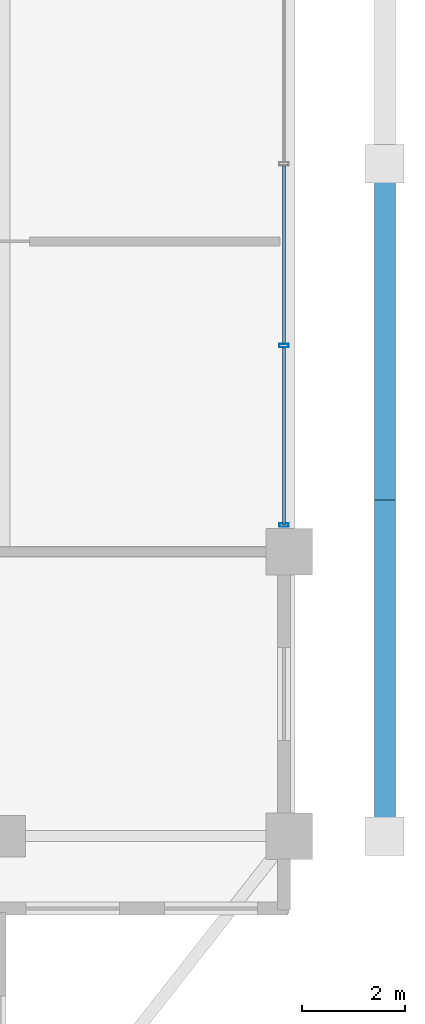
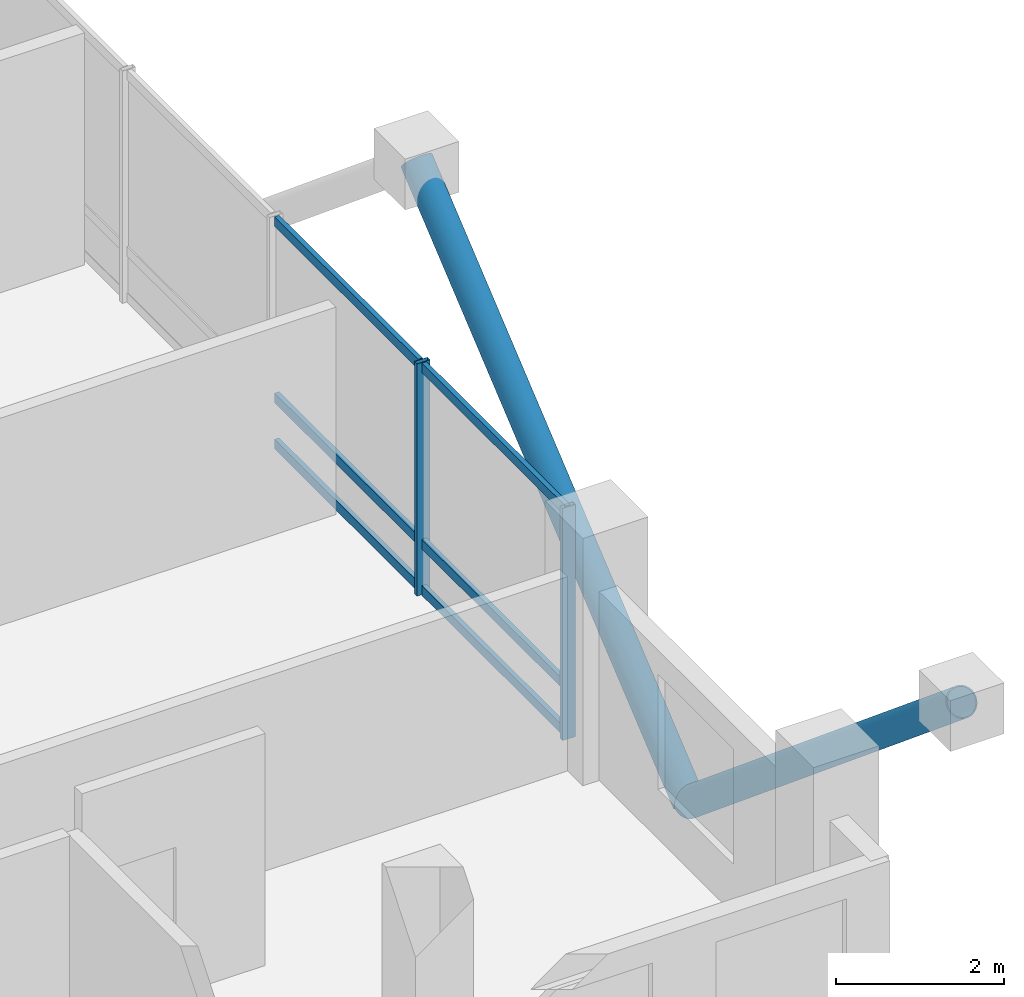
# One storey, part 11 of 22: 10 members, 1 element without a shape of its own.
"""IFC4 building model written with IfcOpenShell, lengths in metres."""

import ifcopenshell
import ifcopenshell.guid

model = None  # the IFC model being written
_history = None  # IfcOwnerHistory: only IFC2X3 demands one
_inside = {}  # id of a spatial element -> (the spatial element, [elements in it])
_under = {}  # id of a project, library or spatial element -> (it, [spatial elements below it])
_declared = {}  # id of a project -> (the project, [libraries it declares])
_typed = {}  # id of a type object -> (the type object, [elements of that type])
_made_of = {}  # id of a material, layer set ... -> (it, [elements and type objects made of it])


def new_model(schema):
    """Start an empty IFC model of exactly this schema.

    Asked for "IFC4X3", IfcOpenShell would pick the latest addendum, in which some entities
    have other attributes; the version numbers below select the first issue.
    IFC2X3 requires an IfcOwnerHistory on every rooted entity: one is made here for all.
    """
    global model, _history
    if schema == "IFC4X3":
        model = ifcopenshell.file(schema_version=(4, 3, 0, 0))
    else:
        model = ifcopenshell.file(schema=schema)
    _inside.clear()
    _under.clear()
    _declared.clear()
    _typed.clear()
    _made_of.clear()
    _history = None
    if model.schema == "IFC2X3":
        org = make("IfcOrganization", Name="unknown")
        user = make(
            "IfcPersonAndOrganization",
            ThePerson=make("IfcPerson", FamilyName="unknown"),
            TheOrganization=org,
        )
        app = make(
            "IfcApplication",
            ApplicationDeveloper=org,
            Version="unknown",
            ApplicationFullName="unknown",
            ApplicationIdentifier="unknown",
        )
        _history = make(
            "IfcOwnerHistory",
            OwningUser=user,
            OwningApplication=app,
            ChangeAction="ADDED",
            CreationDate=0,
        )
    return model


def make(cls, **values):
    """One entity of the class cls with the attributes given. An attribute that is None is left unset."""
    return model.create_entity(
        cls, **{name: value for name, value in values.items() if value is not None}
    )


def rooted(cls, **values):
    """An entity with a GlobalId (a new one), such as an element, a storey or a relation."""
    return make(cls, GlobalId=ifcopenshell.guid.new(), OwnerHistory=_history, **values)


def si_unit(unit_type, name, prefix=None):
    """IfcSIUnit, for example si_unit("LENGTHUNIT", "METRE", prefix="MILLI")."""
    return make("IfcSIUnit", UnitType=unit_type, Prefix=prefix, Name=name)


def assignment(units):
    """IfcUnitAssignment: the units of a project."""
    return None if units is None else make("IfcUnitAssignment", Units=units)


def point(xyz):
    """IfcCartesianPoint."""
    return None if xyz is None else make("IfcCartesianPoint", Coordinates=xyz)


def direction(xyz):
    """IfcDirection."""
    return None if xyz is None else make("IfcDirection", DirectionRatios=xyz)


def frame(location, z_axis=None, x_axis=None):
    """IfcAxis2Placement3D, a coordinate frame: its origin and axes. An axis left out is left unset."""
    return make(
        "IfcAxis2Placement3D",
        Location=point(location),
        Axis=direction(z_axis),
        RefDirection=direction(x_axis),
    )


def frame_2d(location, x_axis=None):
    """IfcAxis2Placement2D, a coordinate frame in the plane: its origin and x axis."""
    return make(
        "IfcAxis2Placement2D", Location=point(location), RefDirection=direction(x_axis)
    )


def origin():
    """The frame at (0, 0, 0) with its axes left unset."""
    return frame((0.0, 0.0, 0.0))


def origin_2d():
    """The frame at (0, 0) in the plane with its x axis left unset."""
    return frame_2d((0.0, 0.0))


def place(relative_to, where):
    """IfcLocalPlacement: puts the frame where relative to a parent placement (None: the world)."""
    return make(
        "IfcLocalPlacement", PlacementRelTo=relative_to, RelativePlacement=where
    )


def context(
    kind, dimensions, precision=None, world=None, true_north=None, identifier=None
):
    """IfcGeometricRepresentationContext, for example the 3D "Model" context."""
    return make(
        "IfcGeometricRepresentationContext",
        ContextIdentifier=identifier,
        ContextType=kind,
        CoordinateSpaceDimension=dimensions,
        Precision=precision,
        WorldCoordinateSystem=world,
        TrueNorth=true_north,
    )


def subcontext(parent, identifier, kind, view, scale=None):
    """IfcGeometricRepresentationSubContext, for example "Body" below "Model"."""
    return make(
        "IfcGeometricRepresentationSubContext",
        ContextIdentifier=identifier,
        ContextType=kind,
        ParentContext=parent,
        TargetScale=scale,
        TargetView=view,
    )


def project(units=None, contexts=None):
    """IfcProject with its units and contexts."""
    return rooted(
        "IfcProject",
        Name="project",
        RepresentationContexts=contexts,
        UnitsInContext=assignment(units),
    )


def spatial(cls, under=None, at=None, **own):
    """A site, building, storey or space (cls), placed at a placement, below another one or the project."""
    s = rooted(cls, ObjectPlacement=at, **own)
    if under is not None:
        _under.setdefault(under.id(), (under, []))[1].append(s)
    return s


def profile(cls, at=None, kind="AREA", **sizes):
    """A parametric profile (cls). Its sizes go by their IFC names, for example OverallWidth=200.0."""
    return make(cls, ProfileType=kind, Position=at, **sizes)


def hollow_rectangle(**sizes):
    """IfcRectangleHollowProfileDef."""
    return profile("IfcRectangleHollowProfileDef", **sizes)


def hollow_circle(**sizes):
    """IfcCircleHollowProfileDef."""
    return profile("IfcCircleHollowProfileDef", **sizes)


def extrude(swept, where, along, depth):
    """IfcExtrudedAreaSolid: the profile swept, set in the frame where, extruded along a direction by depth."""
    return make(
        "IfcExtrudedAreaSolid",
        SweptArea=swept,
        Position=where,
        ExtrudedDirection=direction(along),
        Depth=depth,
    )


def shape(context_of_items, identifier, shape_type, items):
    """IfcShapeRepresentation: the items that make up one representation, for example the "Body"."""
    return make(
        "IfcShapeRepresentation",
        ContextOfItems=context_of_items,
        RepresentationIdentifier=identifier,
        RepresentationType=shape_type,
        Items=items,
    )


def material(Name=None, Category=None):
    """IfcMaterial."""
    return make("IfcMaterial", Name=Name, Category=Category)


def layer(
    of_material, thickness, ventilated=None, Name=None, Category=None, Priority=None
):
    """IfcMaterialLayer: one layer of a wall or slab, of a material (None: an air gap)."""
    return make(
        "IfcMaterialLayer",
        Material=of_material,
        LayerThickness=thickness,
        IsVentilated=ventilated,
        Name=Name,
        Category=Category,
        Priority=Priority,
    )


def layer_set(layers, Name=None):
    """IfcMaterialLayerSet."""
    return make("IfcMaterialLayerSet", MaterialLayers=layers, LayerSetName=Name)


def material_profile(
    of_material, cross_section, Name=None, Category=None, Priority=None
):
    """IfcMaterialProfile: a cross section and its material."""
    return make(
        "IfcMaterialProfile",
        Name=Name,
        Material=of_material,
        Profile=cross_section,
        Priority=Priority,
        Category=Category,
    )


def profile_set(profiles, Name=None, composite=None):
    """IfcMaterialProfileSet."""
    return make(
        "IfcMaterialProfileSet",
        Name=Name,
        MaterialProfiles=profiles,
        CompositeProfile=composite,
    )


def made_of(thing, what):
    """Note that an element or type object is made of a material, layer set ...; save() writes the relation."""
    if what is not None:
        _made_of.setdefault(what.id(), (what, []))[1].append(thing)
    return thing


def type_object(cls, material=None, **own):
    """A type object (cls), such as IfcWallType, which elements share."""
    return made_of(rooted(cls, **own), material)


def element(
    cls,
    number,
    at=None,
    inside=None,
    cuts=None,
    type_object=None,
    material=None,
    context=None,
    identifier="Body",
    shape_type=None,
    held_by="IfcProductDefinitionShape",
    body=None,
    shapes=None,
    **own,
):
    """One element of the class cls, such as IfcWall. Its Tag is "e" and its number.

    at: its placement. inside: the storey or other place that contains it. cuts: it is an
    opening in that element (IfcRelVoidsElement). A single representation is given by context,
    identifier, shape_type and body (its items); several are given by shapes. held_by: the class
    of the entity that holds the representations. save() writes the other relations.
    """
    e = rooted(cls, Tag="e%d" % number, ObjectPlacement=at, **own)
    if body is not None:
        shapes = [shape(context, identifier, shape_type, body)]
    if shapes is not None:
        e.Representation = make(held_by, Representations=shapes)
    if inside is not None:
        _inside.setdefault(inside.id(), (inside, []))[1].append(e)
    if cuts is not None:
        rooted(
            "IfcRelVoidsElement", RelatingBuildingElement=cuts, RelatedOpeningElement=e
        )
    if type_object is not None:
        _typed.setdefault(type_object.id(), (type_object, []))[1].append(e)
    return made_of(e, material)


def aggregate(whole, parts):
    """IfcRelAggregates: a whole, such as a stair, and the parts it consists of."""
    return rooted("IfcRelAggregates", RelatingObject=whole, RelatedObjects=parts)


def save(model, path):
    """Write the relations noted so far, then the file.

    IfcRelAggregates (storeys below a building ...), IfcRelContainedInSpatialStructure (elements
    in a storey), IfcRelDefinesByType, IfcRelAssociatesMaterial and IfcRelDeclares: one each for
    every whole, place, type object, material and project.
    """
    for whole, parts in _under.values():
        aggregate(whole, parts)
    for where, things in _inside.values():
        rooted(
            "IfcRelContainedInSpatialStructure",
            RelatedElements=things,
            RelatingStructure=where,
        )
    for kind, things in _typed.values():
        rooted("IfcRelDefinesByType", RelatedObjects=things, RelatingType=kind)
    for what, things in _made_of.values():
        rooted("IfcRelAssociatesMaterial", RelatedObjects=things, RelatingMaterial=what)
    for by, libraries in _declared.values():
        rooted("IfcRelDeclares", RelatingContext=by, RelatedDefinitions=libraries)
    model.write(path)


model = new_model("IFC4")

# Units and contexts
model_context = context("Model", 3, precision=1e-05, world=origin(), true_north=direction((0.0, 1.0)))
body_context = subcontext(model_context, "Body", "Model", "MODEL_VIEW")
ifc_project = project(units=[si_unit("LENGTHUNIT", "METRE"), si_unit("AREAUNIT", "SQUARE_METRE"), si_unit("VOLUMEUNIT", "CUBIC_METRE"), si_unit("PLANEANGLEUNIT", "RADIAN"), si_unit("MASSUNIT", "GRAM", prefix="KILO")], contexts=[model_context])

# Site, building, storey
site_placement = place(None, origin())
site = spatial("IfcSite", under=ifc_project, at=site_placement, CompositionType="ELEMENT")
building_placement = place(site_placement, origin())
building = spatial("IfcBuilding", under=site, at=building_placement, Name="Barlavira Tower and Art Museum", CompositionType="ELEMENT")
storey_placement = place(building_placement, frame((0.0, 0.0, 258.300048828125)))
storey = spatial("IfcBuildingStorey", under=building, at=storey_placement, Name="L67", CompositionType="ELEMENT", Elevation=258.300048828125)

# Curtain wall, members
ifc_material_1 = material(Name="Low-iron coastal laminated glass", Category="glass")
ifc_layer = layer(ifc_material_1, 0.2099609375, Name="Low-iron coastal laminated glass")
ifc_layer_set = layer_set([ifc_layer], Name="Low-iron coastal laminated glass")
curtain_wall_type = type_object("IfcCurtainWallType", Name="Pale-Metal Unitised Curtain Wall Zone 4", PredefinedType="NOTDEFINED", material=ifc_layer_set)
curtain_wall_placement = place(storey_placement, origin())
curtain_wall = element("IfcCurtainWall", 1, at=curtain_wall_placement, inside=storey, type_object=curtain_wall_type, Name="L67 Curtain Wall CW4-L67-E-B3", PredefinedType="NOTDEFINED")
ifc_material_2 = material(Name="Pale anodised aluminium", Category="aluminium")
ifc_material_profile_1 = material_profile(ifc_material_2, hollow_rectangle(XDim=0.06494140625, YDim=0.179931640625, WallThickness=0.00390625, at=origin_2d()), Name="ALU-MULL 65x180x4")
ifc_profile_set_1 = profile_set([ifc_material_profile_1], Name="Pale anodised aluminium")
member_type_1 = type_object("IfcMemberType", Name="Curtain Wall Pale-Metal Mullion 65x180", PredefinedType="MULLION", material=ifc_profile_set_1)
member_1_placement = place(storey_placement, frame((16.89990234375, -6.985107421875, 0.0), z_axis=(0.0, 0.0, 1.0), x_axis=(0.0, 1.0, 0.0)))
member_1 = element("IfcMember", 2, at=member_1_placement, type_object=member_type_1, Name="CW4-L67-E-B3 Mullion 0", PredefinedType="MULLION", context=body_context, shape_type="SweptSolid", body=[
    extrude(hollow_rectangle(XDim=0.06494140625, YDim=0.179931640625, WallThickness=0.00390625, at=origin_2d()), origin(), (0.0, 0.0, 1.0), 3.3798828125),
])
member_2_placement = place(storey_placement, frame((16.89990234375, -3.514892578125, 0.0), z_axis=(0.0, 0.0, 1.0), x_axis=(0.0, 1.0, 0.0)))
member_2 = element("IfcMember", 3, at=member_2_placement, type_object=member_type_1, Name="CW4-L67-E-B3 Mullion 1", PredefinedType="MULLION", context=body_context, shape_type="SweptSolid", body=[
    extrude(hollow_rectangle(XDim=0.06494140625, YDim=0.179931640625, WallThickness=0.00390625, at=origin_2d()), origin(), (0.0, 0.0, 1.0), 3.3798828125),
])
ifc_material_profile_2 = material_profile(ifc_material_2, hollow_rectangle(XDim=0.06494140625, YDim=0.139892578125, WallThickness=0.00390625, at=origin_2d()), Name="ALU-TRAN 65x140x4")
ifc_profile_set_2 = profile_set([ifc_material_profile_2], Name="Pale anodised aluminium")
member_type_2 = type_object("IfcMemberType", Name="Curtain Wall Pale-Metal Transom 65x140", PredefinedType="USERDEFINED", material=ifc_profile_set_2)
member_3_placement = place(storey_placement, frame((16.89990234375, -6.985107421875, 0.070068359375), z_axis=(0.0, 1.0, 0.0), x_axis=(-1.0, 0.0, 0.0)))
member_3 = element("IfcMember", 4, at=member_3_placement, type_object=member_type_2, Name="CW4-L67-E-B3 Transom 0.1", ObjectType="TRANSOM", PredefinedType="USERDEFINED", context=body_context, shape_type="SweptSolid", body=[
    extrude(hollow_rectangle(XDim=0.06494140625, YDim=0.139892578125, WallThickness=0.00390625, at=origin_2d()), origin(), (0.0, 0.0, 1.0), 3.425048828125),
])
member_4_placement = place(storey_placement, frame((16.89990234375, -6.985107421875, 0.743896484375), z_axis=(0.0, 1.0, 0.0), x_axis=(-1.0, 0.0, 0.0)))
member_4 = element("IfcMember", 5, at=member_4_placement, type_object=member_type_2, Name="CW4-L67-E-B3 Transom 0.2", ObjectType="TRANSOM", PredefinedType="USERDEFINED", context=body_context, shape_type="SweptSolid", body=[
    extrude(hollow_rectangle(XDim=0.06494140625, YDim=0.139892578125, WallThickness=0.00390625, at=origin_2d()), origin(), (0.0, 0.0, 1.0), 3.425048828125),
])
member_5_placement = place(storey_placement, frame((16.89990234375, -6.985107421875, 3.31005859375), z_axis=(0.0, 1.0, 0.0), x_axis=(-1.0, 0.0, 0.0)))
member_5 = element("IfcMember", 6, at=member_5_placement, type_object=member_type_2, Name="CW4-L67-E-B3 Transom 0.3", ObjectType="TRANSOM", PredefinedType="USERDEFINED", context=body_context, shape_type="SweptSolid", body=[
    extrude(hollow_rectangle(XDim=0.06494140625, YDim=0.139892578125, WallThickness=0.00390625, at=origin_2d()), origin(), (0.0, 0.0, 1.0), 3.425048828125),
])
member_6_placement = place(storey_placement, frame((16.89990234375, -3.469970703125, 0.070068359375), z_axis=(0.0, 1.0, 0.0), x_axis=(-1.0, 0.0, 0.0)))
member_6 = element("IfcMember", 7, at=member_6_placement, type_object=member_type_2, Name="CW4-L67-E-B3 Transom 1.1", ObjectType="TRANSOM", PredefinedType="USERDEFINED", context=body_context, shape_type="SweptSolid", body=[
    extrude(hollow_rectangle(XDim=0.06494140625, YDim=0.139892578125, WallThickness=0.00390625, at=origin_2d()), origin(), (0.0, 0.0, 1.0), 3.425048828125),
])
member_7_placement = place(storey_placement, frame((16.89990234375, -3.469970703125, 0.743896484375), z_axis=(0.0, 1.0, 0.0), x_axis=(-1.0, 0.0, 0.0)))
member_7 = element("IfcMember", 8, at=member_7_placement, type_object=member_type_2, Name="CW4-L67-E-B3 Transom 1.2", ObjectType="TRANSOM", PredefinedType="USERDEFINED", context=body_context, shape_type="SweptSolid", body=[
    extrude(hollow_rectangle(XDim=0.06494140625, YDim=0.139892578125, WallThickness=0.00390625, at=origin_2d()), origin(), (0.0, 0.0, 1.0), 3.425048828125),
])
member_8_placement = place(storey_placement, frame((16.89990234375, -3.469970703125, 3.31005859375), z_axis=(0.0, 1.0, 0.0), x_axis=(-1.0, 0.0, 0.0)))
member_8 = element("IfcMember", 9, at=member_8_placement, type_object=member_type_2, Name="CW4-L67-E-B3 Transom 1.3", ObjectType="TRANSOM", PredefinedType="USERDEFINED", context=body_context, shape_type="SweptSolid", body=[
    extrude(hollow_rectangle(XDim=0.06494140625, YDim=0.139892578125, WallThickness=0.00390625, at=origin_2d()), origin(), (0.0, 0.0, 1.0), 3.425048828125),
])
aggregate(curtain_wall, [member_1, member_2, member_3, member_4, member_5, member_6, member_7, member_8])

# Members
ifc_material_3 = material(Name="Steel S355", Category="steel")
ifc_material_profile_3 = material_profile(ifc_material_3, hollow_circle(Radius=0.203125, WallThickness=0.01611328125, at=origin_2d()), Name="CHS 406.4x16.0")
ifc_profile_set_3 = profile_set([ifc_material_profile_3], Name="Steel S355")
member_type_3 = type_object("IfcMemberType", Name="Pale-Metal Exoskeleton Diagrid Tube CHS 406x16 Steel S355", PredefinedType="BRACE", material=ifc_profile_set_3)
for number, where, z_axis, x_axis, name in (
    (10, (18.85009765625, -6.5, -1.920166015625), (0.0, -0.76918185268, 0.639029950399), (1.0, 0.0, 0.0), "L67 Exoskeleton Diagrid Tube E"),
    (11, (18.85009765625, -6.5, -1.920166015625), (0.0, 0.76918185268, 0.639029950399), (-1.0, 0.0, 0.0), "L67 Exoskeleton Diagrid Tube E"),
):
    element("IfcMember", number, at=place(storey_placement, frame(where, z_axis=z_axis, x_axis=x_axis)), inside=storey, type_object=member_type_3, Name=name, PredefinedType="BRACE", context=body_context, shape_type="SweptSolid", body=[
        extrude(hollow_circle(Radius=0.203125, WallThickness=0.01611328125, at=origin_2d()), origin(), (0.0, 0.0, 1.0), 8.450439453125),
    ])

save(model, "model.ifc")
